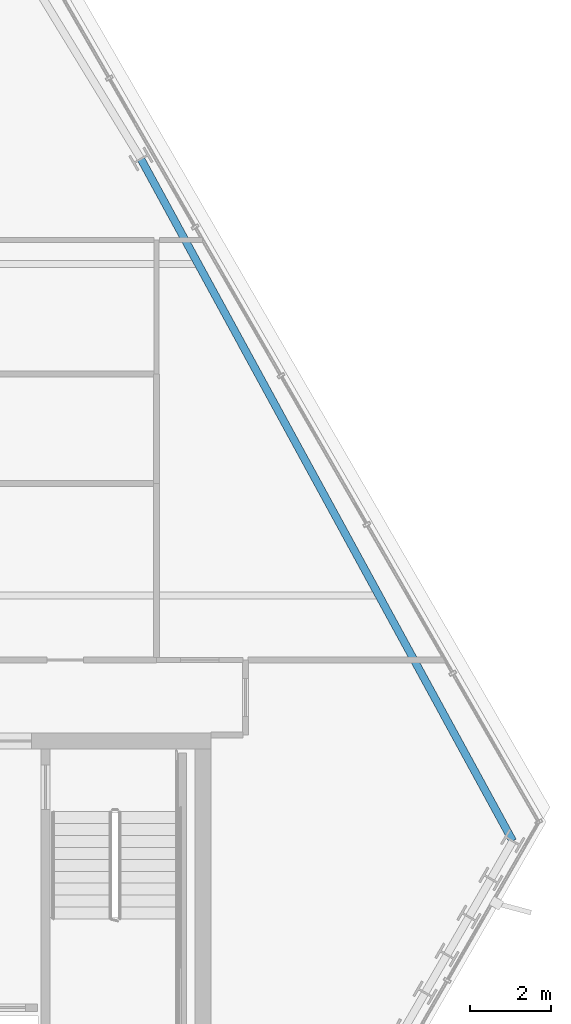
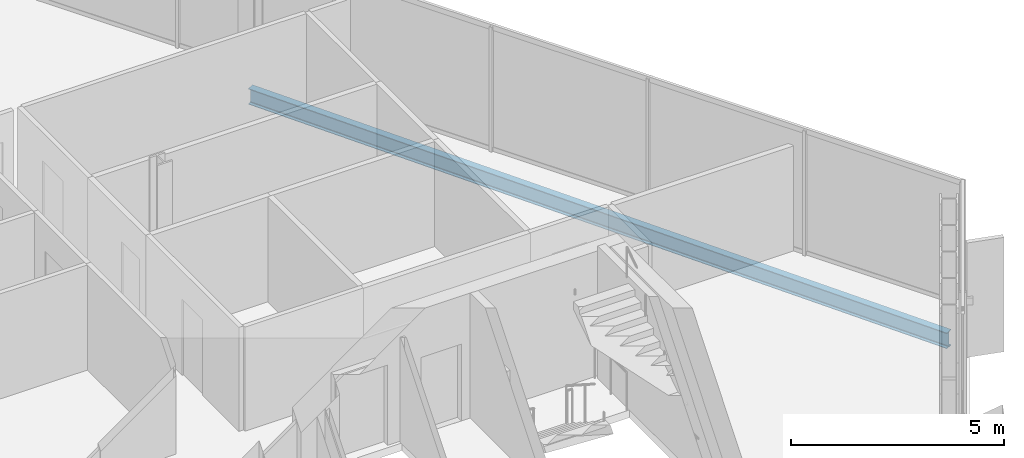
# One storey, part 16 of 34: 1 beam.
"""IFC4 building model written with IfcOpenShell, lengths in metres."""

from ifc_helpers import new_model, si_unit, direction, frame, origin, origin_2d, place, context, subcontext, project, spatial, i_section, extrude, material, material_profile, profile_set, type_object, element, save


model = new_model("IFC4")

# Units and contexts
model_context = context("Model", 3, precision=1e-05, world=origin(), true_north=direction((0.0, 1.0)))
body_context = subcontext(model_context, "Body", "Model", "MODEL_VIEW")
ifc_project = project(units=[si_unit("LENGTHUNIT", "METRE"), si_unit("AREAUNIT", "SQUARE_METRE"), si_unit("VOLUMEUNIT", "CUBIC_METRE"), si_unit("PLANEANGLEUNIT", "RADIAN"), si_unit("MASSUNIT", "GRAM", prefix="KILO")], contexts=[model_context])

# Site, building, storey
site_placement = place(None, origin())
site = spatial("IfcSite", under=ifc_project, at=site_placement, CompositionType="ELEMENT")
building_placement = place(site_placement, origin())
building = spatial("IfcBuilding", under=site, at=building_placement, Name="Ndaravel Arena Tower", CompositionType="ELEMENT")
storey_placement = place(building_placement, frame((0.0, 0.0, 191.60009765625)))
storey = spatial("IfcBuildingStorey", under=building, at=storey_placement, Name="L46", CompositionType="ELEMENT", Elevation=191.60009765625)

# Beam
ifc_material = material(Name="Steel S355", Category="steel")
ifc_material_profile = material_profile(ifc_material, i_section(OverallWidth=0.18994140625, OverallDepth=0.449951171875, WebThickness=0.009521484375, FlangeThickness=0.0146484375, FilletRadius=0.02099609375, at=origin_2d()), Name="IPE 450")
ifc_profile_set = profile_set([ifc_material_profile], Name="Steel S355")
beam_type = type_object("IfcBeamType", Name="BM-SPAN-IPE450", PredefinedType="SPANDREL", material=ifc_profile_set)
beam_placement = place(storey_placement, frame((65.010986328125, 12.5244140625, -0.445068359375), z_axis=(-0.478686591985, 0.8779858465, 0.0), x_axis=(-0.8779858465, -0.478686591985, 0.0)))
element("IfcBeam", 1, at=beam_placement, inside=storey, type_object=beam_type, Name="L46 Perimeter Spandrel Beam SP-09", PredefinedType="SPANDREL", context=body_context, shape_type="SweptSolid", body=[
    extrude(i_section(OverallWidth=0.18994140625, OverallDepth=0.449951171875, WebThickness=0.009521484375, FlangeThickness=0.0146484375, FilletRadius=0.02099609375, at=origin_2d()), origin(), (0.0, 0.0, 1.0), 19.220703125),
])

save(model, "model.ifc")
